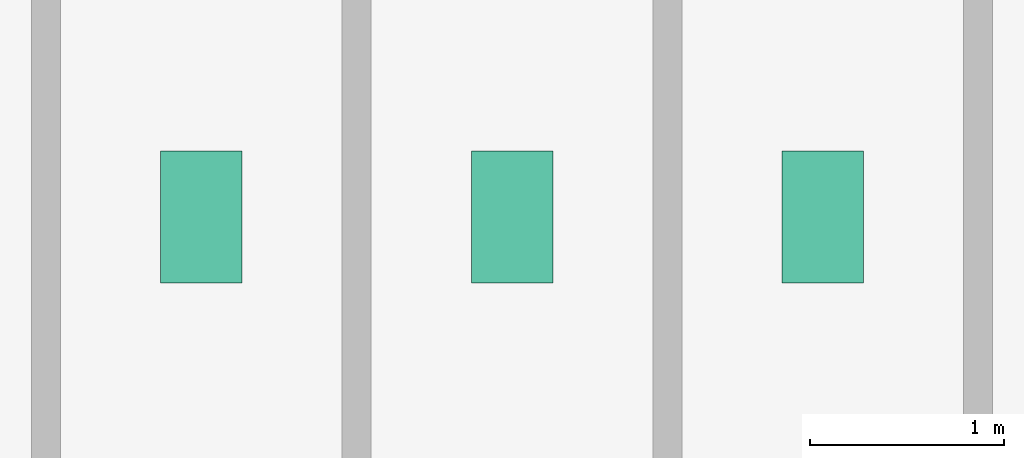
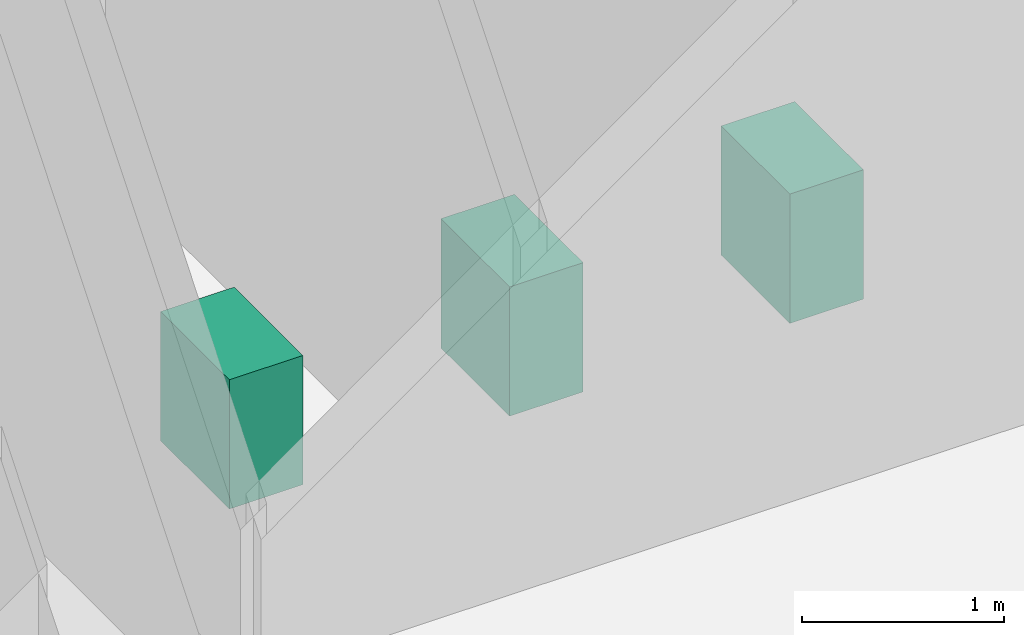
# One storey, part 22 of 22: 3 sanitary terminals.
"""IFC4 building model written with IfcOpenShell, lengths in metres."""

from ifc_helpers import new_model, si_unit, derived_unit, direction, frame, origin, origin_2d, place, context, subcontext, project, spatial, rectangle, extrude, source, transform, mapped, material, type_object, element, save


model = new_model("IFC4")

# Units and contexts
model_context = context("Model", 3, precision=1e-05, world=origin(), true_north=direction((0.0, 1.0)))
body_context = subcontext(model_context, "Body", "Model", "MODEL_VIEW")
ifc_project = project(units=[si_unit("LENGTHUNIT", "METRE"), si_unit("AREAUNIT", "SQUARE_METRE"), si_unit("VOLUMEUNIT", "CUBIC_METRE"), si_unit("PLANEANGLEUNIT", "RADIAN"), si_unit("MASSUNIT", "GRAM", prefix="KILO"), derived_unit("THERMALTRANSMITTANCEUNIT", [(si_unit("POWERUNIT", "WATT"), 1), (si_unit("LENGTHUNIT", "METRE"), -2), (si_unit("THERMODYNAMICTEMPERATUREUNIT", "KELVIN"), -1)])], contexts=[model_context])

# Site, building, storey
site_placement = place(None, origin())
site = spatial("IfcSite", under=ifc_project, at=site_placement, CompositionType="ELEMENT")
building_placement = place(site_placement, origin())
building = spatial("IfcBuilding", under=site, at=building_placement, Name="Skarnbrae Concourse Arena and Tower", CompositionType="ELEMENT")
storey_placement = place(building_placement, frame((0.0, 0.0, 203.199951171875)))
storey = spatial("IfcBuildingStorey", under=building, at=storey_placement, Name="L52", CompositionType="ELEMENT", Elevation=203.199951171875)

# Sanitary terminals
ifc_material = material(Name="Vitreous china sanitaryware", Category="other")
sanitary_terminal_type = type_object("IfcSanitaryTerminalType", Name="SAN-WC-VITREOUS", PredefinedType="TOILETPAN", material=ifc_material)
shared_shape = source(origin(), body_context, "Body", "SweptSolid", [
    extrude(rectangle(XDim=0.419921875, YDim=0.679931640625, at=origin_2d()), origin(), (0.0, 0.0, 1.0), 0.780029296875),
])
for number, where, z_axis, x_axis, name in (
    (1, (35.0, 11.39990234375, 0.0), (0.0, 0.0, 1.0), (1.0, 0.0, 0.0), "L52 Washroom WC fixture 1"),
    (2, (36.60009765625, 11.39990234375, 0.0), (0.0, 0.0, 1.0), (1.0, 0.0, 0.0), "L52 Washroom WC fixture 2"),
    (3, (38.199951171875, 11.39990234375, 0.0), (0.0, 0.0, 1.0), (1.0, 0.0, 0.0), "L52 Washroom WC fixture 3"),
):
    element("IfcSanitaryTerminal", number, at=place(storey_placement, frame(where, z_axis=z_axis, x_axis=x_axis)), inside=storey, type_object=sanitary_terminal_type, Name=name, PredefinedType="TOILETPAN", context=body_context, shape_type="MappedRepresentation", body=[
        mapped(shared_shape, transform((0.0, 0.0, 0.0))),
    ])

save(model, "model.ifc")
